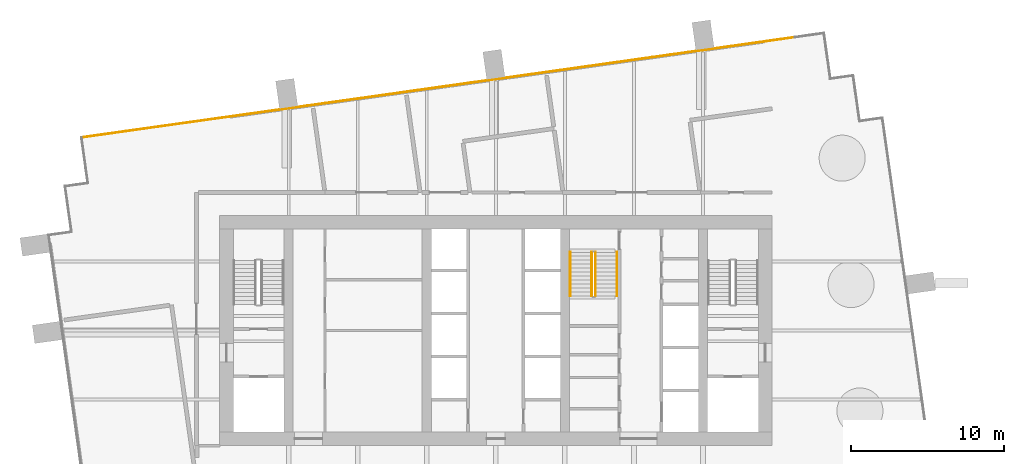
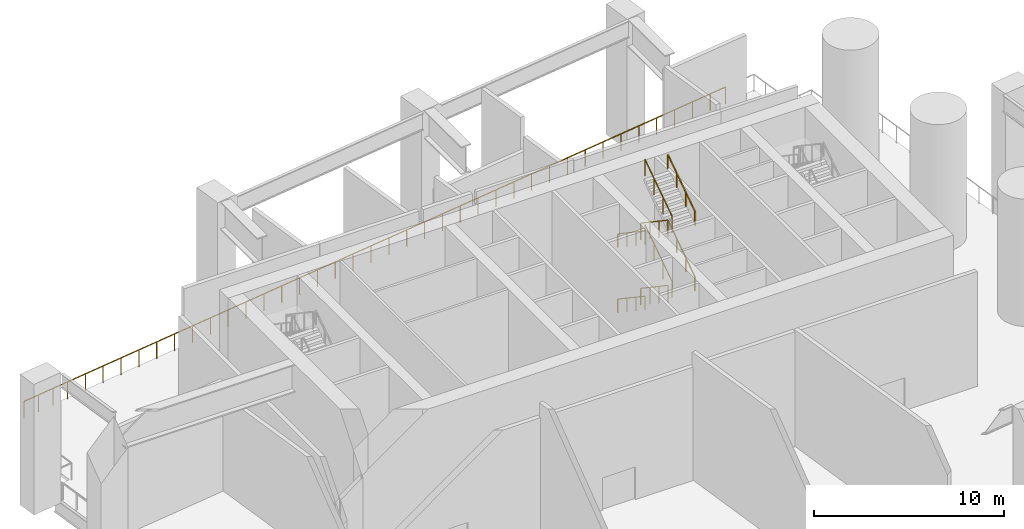
# One storey, part 11 of 13: 9 railings.
"""IFC4 building model written with IfcOpenShell, lengths in metres."""

import ifcopenshell
import ifcopenshell.guid

model = None  # the IFC model being written
_history = None  # IfcOwnerHistory: only IFC2X3 demands one
_inside = {}  # id of a spatial element -> (the spatial element, [elements in it])
_under = {}  # id of a project, library or spatial element -> (it, [spatial elements below it])
_declared = {}  # id of a project -> (the project, [libraries it declares])
_typed = {}  # id of a type object -> (the type object, [elements of that type])
_made_of = {}  # id of a material, layer set ... -> (it, [elements and type objects made of it])


def new_model(schema):
    """Start an empty IFC model of exactly this schema.

    Asked for "IFC4X3", IfcOpenShell would pick the latest addendum, in which some entities
    have other attributes; the version numbers below select the first issue.
    IFC2X3 requires an IfcOwnerHistory on every rooted entity: one is made here for all.
    """
    global model, _history
    if schema == "IFC4X3":
        model = ifcopenshell.file(schema_version=(4, 3, 0, 0))
    else:
        model = ifcopenshell.file(schema=schema)
    _inside.clear()
    _under.clear()
    _declared.clear()
    _typed.clear()
    _made_of.clear()
    _history = None
    if model.schema == "IFC2X3":
        org = make("IfcOrganization", Name="unknown")
        user = make(
            "IfcPersonAndOrganization",
            ThePerson=make("IfcPerson", FamilyName="unknown"),
            TheOrganization=org,
        )
        app = make(
            "IfcApplication",
            ApplicationDeveloper=org,
            Version="unknown",
            ApplicationFullName="unknown",
            ApplicationIdentifier="unknown",
        )
        _history = make(
            "IfcOwnerHistory",
            OwningUser=user,
            OwningApplication=app,
            ChangeAction="ADDED",
            CreationDate=0,
        )
    return model


def make(cls, **values):
    """One entity of the class cls with the attributes given. An attribute that is None is left unset."""
    return model.create_entity(
        cls, **{name: value for name, value in values.items() if value is not None}
    )


def rooted(cls, **values):
    """An entity with a GlobalId (a new one), such as an element, a storey or a relation."""
    return make(cls, GlobalId=ifcopenshell.guid.new(), OwnerHistory=_history, **values)


def si_unit(unit_type, name, prefix=None):
    """IfcSIUnit, for example si_unit("LENGTHUNIT", "METRE", prefix="MILLI")."""
    return make("IfcSIUnit", UnitType=unit_type, Prefix=prefix, Name=name)


def assignment(units):
    """IfcUnitAssignment: the units of a project."""
    return None if units is None else make("IfcUnitAssignment", Units=units)


def point(xyz):
    """IfcCartesianPoint."""
    return None if xyz is None else make("IfcCartesianPoint", Coordinates=xyz)


def direction(xyz):
    """IfcDirection."""
    return None if xyz is None else make("IfcDirection", DirectionRatios=xyz)


def frame(location, z_axis=None, x_axis=None):
    """IfcAxis2Placement3D, a coordinate frame: its origin and axes. An axis left out is left unset."""
    return make(
        "IfcAxis2Placement3D",
        Location=point(location),
        Axis=direction(z_axis),
        RefDirection=direction(x_axis),
    )


def frame_2d(location, x_axis=None):
    """IfcAxis2Placement2D, a coordinate frame in the plane: its origin and x axis."""
    return make(
        "IfcAxis2Placement2D", Location=point(location), RefDirection=direction(x_axis)
    )


def origin():
    """The frame at (0, 0, 0) with its axes left unset."""
    return frame((0.0, 0.0, 0.0))


def origin_2d():
    """The frame at (0, 0) in the plane with its x axis left unset."""
    return frame_2d((0.0, 0.0))


def place(relative_to, where):
    """IfcLocalPlacement: puts the frame where relative to a parent placement (None: the world)."""
    return make(
        "IfcLocalPlacement", PlacementRelTo=relative_to, RelativePlacement=where
    )


def context(
    kind, dimensions, precision=None, world=None, true_north=None, identifier=None
):
    """IfcGeometricRepresentationContext, for example the 3D "Model" context."""
    return make(
        "IfcGeometricRepresentationContext",
        ContextIdentifier=identifier,
        ContextType=kind,
        CoordinateSpaceDimension=dimensions,
        Precision=precision,
        WorldCoordinateSystem=world,
        TrueNorth=true_north,
    )


def subcontext(parent, identifier, kind, view, scale=None):
    """IfcGeometricRepresentationSubContext, for example "Body" below "Model"."""
    return make(
        "IfcGeometricRepresentationSubContext",
        ContextIdentifier=identifier,
        ContextType=kind,
        ParentContext=parent,
        TargetScale=scale,
        TargetView=view,
    )


def project(units=None, contexts=None):
    """IfcProject with its units and contexts."""
    return rooted(
        "IfcProject",
        Name="project",
        RepresentationContexts=contexts,
        UnitsInContext=assignment(units),
    )


def spatial(cls, under=None, at=None, **own):
    """A site, building, storey or space (cls), placed at a placement, below another one or the project."""
    s = rooted(cls, ObjectPlacement=at, **own)
    if under is not None:
        _under.setdefault(under.id(), (under, []))[1].append(s)
    return s


def profile(cls, at=None, kind="AREA", **sizes):
    """A parametric profile (cls). Its sizes go by their IFC names, for example OverallWidth=200.0."""
    return make(cls, ProfileType=kind, Position=at, **sizes)


def rectangle(**sizes):
    """IfcRectangleProfileDef."""
    return profile("IfcRectangleProfileDef", **sizes)


def extrude(swept, where, along, depth):
    """IfcExtrudedAreaSolid: the profile swept, set in the frame where, extruded along a direction by depth."""
    return make(
        "IfcExtrudedAreaSolid",
        SweptArea=swept,
        Position=where,
        ExtrudedDirection=direction(along),
        Depth=depth,
    )


def shape(context_of_items, identifier, shape_type, items):
    """IfcShapeRepresentation: the items that make up one representation, for example the "Body"."""
    return make(
        "IfcShapeRepresentation",
        ContextOfItems=context_of_items,
        RepresentationIdentifier=identifier,
        RepresentationType=shape_type,
        Items=items,
    )


def material(Name=None, Category=None):
    """IfcMaterial."""
    return make("IfcMaterial", Name=Name, Category=Category)


def made_of(thing, what):
    """Note that an element or type object is made of a material, layer set ...; save() writes the relation."""
    if what is not None:
        _made_of.setdefault(what.id(), (what, []))[1].append(thing)
    return thing


def type_object(cls, material=None, **own):
    """A type object (cls), such as IfcWallType, which elements share."""
    return made_of(rooted(cls, **own), material)


def element(
    cls,
    number,
    at=None,
    inside=None,
    cuts=None,
    type_object=None,
    material=None,
    context=None,
    identifier="Body",
    shape_type=None,
    held_by="IfcProductDefinitionShape",
    body=None,
    shapes=None,
    **own,
):
    """One element of the class cls, such as IfcWall. Its Tag is "e" and its number.

    at: its placement. inside: the storey or other place that contains it. cuts: it is an
    opening in that element (IfcRelVoidsElement). A single representation is given by context,
    identifier, shape_type and body (its items); several are given by shapes. held_by: the class
    of the entity that holds the representations. save() writes the other relations.
    """
    e = rooted(cls, Tag="e%d" % number, ObjectPlacement=at, **own)
    if body is not None:
        shapes = [shape(context, identifier, shape_type, body)]
    if shapes is not None:
        e.Representation = make(held_by, Representations=shapes)
    if inside is not None:
        _inside.setdefault(inside.id(), (inside, []))[1].append(e)
    if cuts is not None:
        rooted(
            "IfcRelVoidsElement", RelatingBuildingElement=cuts, RelatedOpeningElement=e
        )
    if type_object is not None:
        _typed.setdefault(type_object.id(), (type_object, []))[1].append(e)
    return made_of(e, material)


def aggregate(whole, parts):
    """IfcRelAggregates: a whole, such as a stair, and the parts it consists of."""
    return rooted("IfcRelAggregates", RelatingObject=whole, RelatedObjects=parts)


def save(model, path):
    """Write the relations noted so far, then the file.

    IfcRelAggregates (storeys below a building ...), IfcRelContainedInSpatialStructure (elements
    in a storey), IfcRelDefinesByType, IfcRelAssociatesMaterial and IfcRelDeclares: one each for
    every whole, place, type object, material and project.
    """
    for whole, parts in _under.values():
        aggregate(whole, parts)
    for where, things in _inside.values():
        rooted(
            "IfcRelContainedInSpatialStructure",
            RelatedElements=things,
            RelatingStructure=where,
        )
    for kind, things in _typed.values():
        rooted("IfcRelDefinesByType", RelatedObjects=things, RelatingType=kind)
    for what, things in _made_of.values():
        rooted("IfcRelAssociatesMaterial", RelatedObjects=things, RelatingMaterial=what)
    for by, libraries in _declared.values():
        rooted("IfcRelDeclares", RelatingContext=by, RelatedDefinitions=libraries)
    model.write(path)


model = new_model("IFC4")

# Units and contexts
model_context = context("Model", 3, precision=1e-05, world=origin(), true_north=direction((0.0, 1.0)))
body_context = subcontext(model_context, "Body", "Model", "MODEL_VIEW")
ifc_project = project(units=[si_unit("LENGTHUNIT", "METRE"), si_unit("AREAUNIT", "SQUARE_METRE"), si_unit("VOLUMEUNIT", "CUBIC_METRE"), si_unit("PLANEANGLEUNIT", "RADIAN"), si_unit("MASSUNIT", "GRAM", prefix="KILO")], contexts=[model_context])

# Site, building, storey
site_placement = place(None, origin())
site = spatial("IfcSite", under=ifc_project, at=site_placement, CompositionType="ELEMENT")
building_placement = place(site_placement, origin())
building = spatial("IfcBuilding", under=site, at=building_placement, Name="Rattan Terrace Tower", CompositionType="ELEMENT")
storey_placement = place(building_placement, frame((0.0, 0.0, 199.699951171875)))
storey = spatial("IfcBuildingStorey", under=building, at=storey_placement, Name="L46", CompositionType="ELEMENT", Elevation=199.699951171875)

# Railings
ifc_material_1 = material(Name="Powder-coated steel guard", Category="steel")
railing_type_1 = type_object("IfcRailingType", Name="Core stair guard", PredefinedType="GUARDRAIL", material=ifc_material_1)
railing_1_placement = place(storey_placement, frame((6.25, 5.10009765625, 0.175048828125)))
element("IfcRailing", 1, at=railing_1_placement, inside=storey, type_object=railing_type_1, Name="L46 S3 stair guard 1", PredefinedType="GUARDRAIL", context=body_context, shape_type="SweptSolid", body=[
    extrude(rectangle(XDim=0.048095703125, YDim=0.048095703125, at=origin_2d()), frame((0.0, 0.0, 1.076171875), z_axis=(0.0, -0.829590901723, 0.558371682465), x_axis=(1.0, 0.0, 0.0)), (0.0, 0.0, 1.0), 3.447509765625),
    extrude(rectangle(XDim=0.0419921875, YDim=0.0419921875, at=origin_2d()), origin(), (0.0, 0.0, 1.0), 1.052001953125),
    extrude(rectangle(XDim=0.0419921875, YDim=0.0419921875, at=origin_2d()), frame((0.0, -0.953369140625, 0.6416015625)), (0.0, 0.0, 1.0), 1.052001953125),
    extrude(rectangle(XDim=0.0419921875, YDim=0.0419921875, at=origin_2d()), frame((0.0, -1.90673828125, 1.283447265625)), (0.0, 0.0, 1.0), 1.052001953125),
    extrude(rectangle(XDim=0.0419921875, YDim=0.0419921875, at=origin_2d()), frame((0.0, -2.860107421875, 1.925048828125)), (0.0, 0.0, 1.0), 1.052001953125),
])
railing_2_placement = place(storey_placement, frame((6.5, 2.239990234375, 2.275146484375)))
element("IfcRailing", 2, at=railing_2_placement, inside=storey, type_object=railing_type_1, Name="L46 S3 stair guard 3", PredefinedType="GUARDRAIL", context=body_context, shape_type="SweptSolid", body=[
    extrude(rectangle(XDim=0.048095703125, YDim=0.048095703125, at=origin_2d()), frame((0.0, 0.0, 1.076171875), z_axis=(0.0, 0.829623704247, 0.558322943601), x_axis=(-1.0, 0.0, 0.0)), (0.0, 0.0, 1.0), 3.447509765625),
    extrude(rectangle(XDim=0.0419921875, YDim=0.0419921875, at=origin_2d()), origin(), (0.0, 0.0, 1.0), 1.052001953125),
    extrude(rectangle(XDim=0.0419921875, YDim=0.0419921875, at=origin_2d()), frame((0.0, 0.953369140625, 0.6416015625)), (0.0, 0.0, 1.0), 1.052001953125),
    extrude(rectangle(XDim=0.0419921875, YDim=0.0419921875, at=origin_2d()), frame((0.0, 1.90673828125, 1.283203125)), (0.0, 0.0, 1.0), 1.052001953125),
    extrude(rectangle(XDim=0.0419921875, YDim=0.0419921875, at=origin_2d()), frame((0.0, 2.860107421875, 1.9248046875)), (0.0, 0.0, 1.0), 1.052001953125),
])
railing_3_placement = place(storey_placement, frame((6.25, 5.10009765625, 4.375)))
element("IfcRailing", 3, at=railing_3_placement, inside=storey, type_object=railing_type_1, Name="L46 S3 stair guard 5", PredefinedType="GUARDRAIL", context=body_context, shape_type="SweptSolid", body=[
    extrude(rectangle(XDim=0.048095703125, YDim=0.048095703125, at=origin_2d()), frame((0.0, 0.0, 1.076171875), z_axis=(0.0, -0.829590901723, 0.558371682465), x_axis=(1.0, 0.0, 0.0)), (0.0, 0.0, 1.0), 3.447509765625),
    extrude(rectangle(XDim=0.0419921875, YDim=0.0419921875, at=origin_2d()), origin(), (0.0, 0.0, 1.0), 1.052001953125),
    extrude(rectangle(XDim=0.0419921875, YDim=0.0419921875, at=origin_2d()), frame((0.0, -0.953369140625, 0.6416015625)), (0.0, 0.0, 1.0), 1.052001953125),
    extrude(rectangle(XDim=0.0419921875, YDim=0.0419921875, at=origin_2d()), frame((0.0, -1.90673828125, 1.283447265625)), (0.0, 0.0, 1.0), 1.052001953125),
    extrude(rectangle(XDim=0.0419921875, YDim=0.0419921875, at=origin_2d()), frame((0.0, -2.860107421875, 1.925048828125)), (0.0, 0.0, 1.0), 1.052001953125),
])
railing_4_placement = place(storey_placement, frame((6.5, 2.239990234375, 6.47509765625)))
element("IfcRailing", 4, at=railing_4_placement, inside=storey, type_object=railing_type_1, Name="L46 S3 stair guard 7", PredefinedType="GUARDRAIL", context=body_context, shape_type="SweptSolid", body=[
    extrude(rectangle(XDim=0.048095703125, YDim=0.048095703125, at=origin_2d()), frame((0.0, 0.0, 1.076171875), z_axis=(0.0, 0.829590901723, 0.558371682465), x_axis=(-1.0, 0.0, 0.0)), (0.0, 0.0, 1.0), 3.447509765625),
    extrude(rectangle(XDim=0.0419921875, YDim=0.0419921875, at=origin_2d()), origin(), (0.0, 0.0, 1.0), 1.052001953125),
    extrude(rectangle(XDim=0.0419921875, YDim=0.0419921875, at=origin_2d()), frame((0.0, 0.953369140625, 0.6416015625)), (0.0, 0.0, 1.0), 1.052001953125),
    extrude(rectangle(XDim=0.0419921875, YDim=0.0419921875, at=origin_2d()), frame((0.0, 1.90673828125, 1.283447265625)), (0.0, 0.0, 1.0), 1.052001953125),
    extrude(rectangle(XDim=0.0419921875, YDim=0.0419921875, at=origin_2d()), frame((0.0, 2.860107421875, 1.925048828125)), (0.0, 0.0, 1.0), 1.052001953125),
])
ifc_material_2 = material(Name="Powder-coated steel handrail", Category="steel")
railing_type_2 = type_object("IfcRailingType", Name="Core stair handrail", PredefinedType="HANDRAIL", material=ifc_material_2)
railing_5_placement = place(storey_placement, frame((4.85009765625, 5.10009765625, 0.175048828125)))
element("IfcRailing", 5, at=railing_5_placement, inside=storey, type_object=railing_type_2, Name="L46 S3 stair handrail 1", PredefinedType="HANDRAIL", context=body_context, shape_type="SweptSolid", body=[
    extrude(rectangle(XDim=0.048095703125, YDim=0.048095703125, at=origin_2d()), frame((0.0, 0.0, 0.8759765625), z_axis=(0.0, -0.829590901723, 0.558371682465), x_axis=(1.0, 0.0, 0.0)), (0.0, 0.0, 1.0), 3.447509765625),
    extrude(rectangle(XDim=0.0419921875, YDim=0.0419921875, at=origin_2d()), origin(), (0.0, 0.0, 1.0), 0.851806640625),
    extrude(rectangle(XDim=0.0419921875, YDim=0.0419921875, at=origin_2d()), frame((0.0, -0.953369140625, 0.6416015625)), (0.0, 0.0, 1.0), 0.851806640625),
    extrude(rectangle(XDim=0.0419921875, YDim=0.0419921875, at=origin_2d()), frame((0.0, -1.90673828125, 1.283447265625)), (0.0, 0.0, 1.0), 0.851806640625),
    extrude(rectangle(XDim=0.0419921875, YDim=0.0419921875, at=origin_2d()), frame((0.0, -2.860107421875, 1.925048828125)), (0.0, 0.0, 1.0), 0.851806640625),
])
railing_6_placement = place(storey_placement, frame((7.89990234375, 2.239990234375, 2.275146484375)))
element("IfcRailing", 6, at=railing_6_placement, inside=storey, type_object=railing_type_2, Name="L46 S3 stair handrail 2", PredefinedType="HANDRAIL", context=body_context, shape_type="SweptSolid", body=[
    extrude(rectangle(XDim=0.048095703125, YDim=0.048095703125, at=origin_2d()), frame((0.0, 0.0, 0.8759765625), z_axis=(0.0, 0.829623704247, 0.558322943601), x_axis=(-1.0, 0.0, 0.0)), (0.0, 0.0, 1.0), 3.447509765625),
    extrude(rectangle(XDim=0.0419921875, YDim=0.0419921875, at=origin_2d()), origin(), (0.0, 0.0, 1.0), 0.851806640625),
    extrude(rectangle(XDim=0.0419921875, YDim=0.0419921875, at=origin_2d()), frame((0.0, 0.953369140625, 0.6416015625)), (0.0, 0.0, 1.0), 0.851806640625),
    extrude(rectangle(XDim=0.0419921875, YDim=0.0419921875, at=origin_2d()), frame((0.0, 1.90673828125, 1.283203125)), (0.0, 0.0, 1.0), 0.851806640625),
    extrude(rectangle(XDim=0.0419921875, YDim=0.0419921875, at=origin_2d()), frame((0.0, 2.860107421875, 1.9248046875)), (0.0, 0.0, 1.0), 0.851806640625),
])
railing_7_placement = place(storey_placement, frame((4.85009765625, 5.10009765625, 4.375)))
element("IfcRailing", 7, at=railing_7_placement, inside=storey, type_object=railing_type_2, Name="L46 S3 stair handrail 3", PredefinedType="HANDRAIL", context=body_context, shape_type="SweptSolid", body=[
    extrude(rectangle(XDim=0.048095703125, YDim=0.048095703125, at=origin_2d()), frame((0.0, 0.0, 0.8759765625), z_axis=(0.0, -0.829590901723, 0.558371682465), x_axis=(1.0, 0.0, 0.0)), (0.0, 0.0, 1.0), 3.447509765625),
    extrude(rectangle(XDim=0.0419921875, YDim=0.0419921875, at=origin_2d()), origin(), (0.0, 0.0, 1.0), 0.851806640625),
    extrude(rectangle(XDim=0.0419921875, YDim=0.0419921875, at=origin_2d()), frame((0.0, -0.953369140625, 0.6416015625)), (0.0, 0.0, 1.0), 0.851806640625),
    extrude(rectangle(XDim=0.0419921875, YDim=0.0419921875, at=origin_2d()), frame((0.0, -1.90673828125, 1.283447265625)), (0.0, 0.0, 1.0), 0.851806640625),
    extrude(rectangle(XDim=0.0419921875, YDim=0.0419921875, at=origin_2d()), frame((0.0, -2.860107421875, 1.925048828125)), (0.0, 0.0, 1.0), 0.851806640625),
])
railing_8_placement = place(storey_placement, frame((7.89990234375, 2.239990234375, 6.47509765625)))
element("IfcRailing", 8, at=railing_8_placement, inside=storey, type_object=railing_type_2, Name="L46 S3 stair handrail 4", PredefinedType="HANDRAIL", context=body_context, shape_type="SweptSolid", body=[
    extrude(rectangle(XDim=0.048095703125, YDim=0.048095703125, at=origin_2d()), frame((0.0, 0.0, 0.8759765625), z_axis=(0.0, 0.829590901723, 0.558371682465), x_axis=(-1.0, 0.0, 0.0)), (0.0, 0.0, 1.0), 3.447509765625),
    extrude(rectangle(XDim=0.0419921875, YDim=0.0419921875, at=origin_2d()), origin(), (0.0, 0.0, 1.0), 0.851806640625),
    extrude(rectangle(XDim=0.0419921875, YDim=0.0419921875, at=origin_2d()), frame((0.0, 0.953369140625, 0.6416015625)), (0.0, 0.0, 1.0), 0.851806640625),
    extrude(rectangle(XDim=0.0419921875, YDim=0.0419921875, at=origin_2d()), frame((0.0, 1.90673828125, 1.283447265625)), (0.0, 0.0, 1.0), 0.851806640625),
    extrude(rectangle(XDim=0.0419921875, YDim=0.0419921875, at=origin_2d()), frame((0.0, 2.860107421875, 1.925048828125)), (0.0, 0.0, 1.0), 0.851806640625),
])
ifc_material_3 = material(Name="Stainless steel 316", Category="steel")
railing_type_3 = type_object("IfcRailingType", Name="Facade Guard 1100", PredefinedType="GUARDRAIL", material=ifc_material_3)
railing_9_placement = place(storey_placement, frame((-26.989990234375, 12.574951171875, 0.0)))
element("IfcRailing", 9, at=railing_9_placement, inside=storey, type_object=railing_type_3, Name="Guard L46-1-11", PredefinedType="GUARDRAIL", context=body_context, shape_type="SweptSolid", body=[
    extrude(rectangle(XDim=0.048095703125, YDim=0.048095703125, at=origin_2d()), frame((0.0, 0.0, 1.076171875), z_axis=(0.990243245844, 0.139349610908, 0.0), x_axis=(-0.139349610908, 0.990243245844, 0.0)), (0.0, 0.0, 1.0), 2.920654296875),
    extrude(rectangle(XDim=0.048095703125, YDim=0.048095703125, at=origin_2d()), frame((2.89208984375, 0.406982421875, 1.076171875), z_axis=(0.99026918742, 0.139165140916, 0.0), x_axis=(-0.139165140916, 0.99026918742, 0.0)), (0.0, 0.0, 1.0), 43.000244140625),
    extrude(rectangle(XDim=0.048095703125, YDim=0.048095703125, at=origin_2d()), frame((45.473876953125, 6.39111328125, 1.076171875), z_axis=(0.990265804508, 0.139189210869, 0.0), x_axis=(-0.139189210869, 0.990265804508, 0.0)), (0.0, 0.0, 1.0), 1.026123046875),
    extrude(rectangle(XDim=0.0419921875, YDim=0.0419921875, at=origin_2d()), origin(), (0.0, 0.0, 1.0), 1.052001953125),
    extrude(rectangle(XDim=0.0419921875, YDim=0.0419921875, at=origin_2d()), frame((0.964111328125, 0.1357421875, 0.0)), (0.0, 0.0, 1.0), 1.052001953125),
    extrude(rectangle(XDim=0.0419921875, YDim=0.0419921875, at=origin_2d()), frame((1.927978515625, 0.271240234375, 0.0)), (0.0, 0.0, 1.0), 1.052001953125),
    extrude(rectangle(XDim=0.0419921875, YDim=0.0419921875, at=origin_2d()), frame((2.89208984375, 0.406982421875, 0.0)), (0.0, 0.0, 1.0), 1.052001953125),
    extrude(rectangle(XDim=0.0419921875, YDim=0.0419921875, at=origin_2d()), frame((4.074951171875, 0.5732421875, 0.0)), (0.0, 0.0, 1.0), 1.052001953125),
    extrude(rectangle(XDim=0.0419921875, YDim=0.0419921875, at=origin_2d()), frame((5.2578125, 0.739501953125, 0.0)), (0.0, 0.0, 1.0), 1.052001953125),
    extrude(rectangle(XDim=0.0419921875, YDim=0.0419921875, at=origin_2d()), frame((6.440673828125, 0.90576171875, 0.0)), (0.0, 0.0, 1.0), 1.052001953125),
    extrude(rectangle(XDim=0.0419921875, YDim=0.0419921875, at=origin_2d()), frame((7.623291015625, 1.07177734375, 0.0)), (0.0, 0.0, 1.0), 1.052001953125),
    extrude(rectangle(XDim=0.0419921875, YDim=0.0419921875, at=origin_2d()), frame((8.80615234375, 1.238037109375, 0.0)), (0.0, 0.0, 1.0), 1.052001953125),
    extrude(rectangle(XDim=0.0419921875, YDim=0.0419921875, at=origin_2d()), frame((9.989013671875, 1.404296875, 0.0)), (0.0, 0.0, 1.0), 1.052001953125),
    extrude(rectangle(XDim=0.0419921875, YDim=0.0419921875, at=origin_2d()), frame((11.171875, 1.570556640625, 0.0)), (0.0, 0.0, 1.0), 1.052001953125),
    extrude(rectangle(XDim=0.0419921875, YDim=0.0419921875, at=origin_2d()), frame((12.354736328125, 1.73681640625, 0.0)), (0.0, 0.0, 1.0), 1.052001953125),
    extrude(rectangle(XDim=0.0419921875, YDim=0.0419921875, at=origin_2d()), frame((13.53759765625, 1.903076171875, 0.0)), (0.0, 0.0, 1.0), 1.052001953125),
    extrude(rectangle(XDim=0.0419921875, YDim=0.0419921875, at=origin_2d()), frame((14.720458984375, 2.0693359375, 0.0)), (0.0, 0.0, 1.0), 1.052001953125),
    extrude(rectangle(XDim=0.0419921875, YDim=0.0419921875, at=origin_2d()), frame((15.903076171875, 2.2353515625, 0.0)), (0.0, 0.0, 1.0), 1.052001953125),
    extrude(rectangle(XDim=0.0419921875, YDim=0.0419921875, at=origin_2d()), frame((17.0859375, 2.401611328125, 0.0)), (0.0, 0.0, 1.0), 1.052001953125),
    extrude(rectangle(XDim=0.0419921875, YDim=0.0419921875, at=origin_2d()), frame((18.268798828125, 2.56787109375, 0.0)), (0.0, 0.0, 1.0), 1.052001953125),
    extrude(rectangle(XDim=0.0419921875, YDim=0.0419921875, at=origin_2d()), frame((19.45166015625, 2.734130859375, 0.0)), (0.0, 0.0, 1.0), 1.052001953125),
    extrude(rectangle(XDim=0.0419921875, YDim=0.0419921875, at=origin_2d()), frame((20.634521484375, 2.900390625, 0.0)), (0.0, 0.0, 1.0), 1.052001953125),
    extrude(rectangle(XDim=0.0419921875, YDim=0.0419921875, at=origin_2d()), frame((21.8173828125, 3.066650390625, 0.0)), (0.0, 0.0, 1.0), 1.052001953125),
    extrude(rectangle(XDim=0.0419921875, YDim=0.0419921875, at=origin_2d()), frame((23.000244140625, 3.23291015625, 0.0)), (0.0, 0.0, 1.0), 1.052001953125),
    extrude(rectangle(XDim=0.0419921875, YDim=0.0419921875, at=origin_2d()), frame((24.18310546875, 3.39892578125, 0.0)), (0.0, 0.0, 1.0), 1.052001953125),
    extrude(rectangle(XDim=0.0419921875, YDim=0.0419921875, at=origin_2d()), frame((25.36572265625, 3.565185546875, 0.0)), (0.0, 0.0, 1.0), 1.052001953125),
    extrude(rectangle(XDim=0.0419921875, YDim=0.0419921875, at=origin_2d()), frame((26.548583984375, 3.7314453125, 0.0)), (0.0, 0.0, 1.0), 1.052001953125),
    extrude(rectangle(XDim=0.0419921875, YDim=0.0419921875, at=origin_2d()), frame((27.7314453125, 3.897705078125, 0.0)), (0.0, 0.0, 1.0), 1.052001953125),
    extrude(rectangle(XDim=0.0419921875, YDim=0.0419921875, at=origin_2d()), frame((28.914306640625, 4.06396484375, 0.0)), (0.0, 0.0, 1.0), 1.052001953125),
    extrude(rectangle(XDim=0.0419921875, YDim=0.0419921875, at=origin_2d()), frame((30.09716796875, 4.230224609375, 0.0)), (0.0, 0.0, 1.0), 1.052001953125),
    extrude(rectangle(XDim=0.0419921875, YDim=0.0419921875, at=origin_2d()), frame((31.280029296875, 4.396484375, 0.0)), (0.0, 0.0, 1.0), 1.052001953125),
    extrude(rectangle(XDim=0.0419921875, YDim=0.0419921875, at=origin_2d()), frame((32.462890625, 4.562744140625, 0.0)), (0.0, 0.0, 1.0), 1.052001953125),
    extrude(rectangle(XDim=0.0419921875, YDim=0.0419921875, at=origin_2d()), frame((33.6455078125, 4.728759765625, 0.0)), (0.0, 0.0, 1.0), 1.052001953125),
    extrude(rectangle(XDim=0.0419921875, YDim=0.0419921875, at=origin_2d()), frame((34.828369140625, 4.89501953125, 0.0)), (0.0, 0.0, 1.0), 1.052001953125),
    extrude(rectangle(XDim=0.0419921875, YDim=0.0419921875, at=origin_2d()), frame((36.01123046875, 5.061279296875, 0.0)), (0.0, 0.0, 1.0), 1.052001953125),
    extrude(rectangle(XDim=0.0419921875, YDim=0.0419921875, at=origin_2d()), frame((37.194091796875, 5.2275390625, 0.0)), (0.0, 0.0, 1.0), 1.052001953125),
    extrude(rectangle(XDim=0.0419921875, YDim=0.0419921875, at=origin_2d()), frame((38.376953125, 5.393798828125, 0.0)), (0.0, 0.0, 1.0), 1.052001953125),
    extrude(rectangle(XDim=0.0419921875, YDim=0.0419921875, at=origin_2d()), frame((39.559814453125, 5.56005859375, 0.0)), (0.0, 0.0, 1.0), 1.052001953125),
    extrude(rectangle(XDim=0.0419921875, YDim=0.0419921875, at=origin_2d()), frame((40.74267578125, 5.726318359375, 0.0)), (0.0, 0.0, 1.0), 1.052001953125),
    extrude(rectangle(XDim=0.0419921875, YDim=0.0419921875, at=origin_2d()), frame((41.92529296875, 5.892333984375, 0.0)), (0.0, 0.0, 1.0), 1.052001953125),
    extrude(rectangle(XDim=0.0419921875, YDim=0.0419921875, at=origin_2d()), frame((43.108154296875, 6.05859375, 0.0)), (0.0, 0.0, 1.0), 1.052001953125),
    extrude(rectangle(XDim=0.0419921875, YDim=0.0419921875, at=origin_2d()), frame((44.291015625, 6.224853515625, 0.0)), (0.0, 0.0, 1.0), 1.052001953125),
    extrude(rectangle(XDim=0.0419921875, YDim=0.0419921875, at=origin_2d()), frame((45.473876953125, 6.39111328125, 0.0)), (0.0, 0.0, 1.0), 1.052001953125),
    extrude(rectangle(XDim=0.0419921875, YDim=0.0419921875, at=origin_2d()), frame((46.489990234375, 6.533935546875, 0.0)), (0.0, 0.0, 1.0), 1.052001953125),
])

save(model, "model.ifc")
